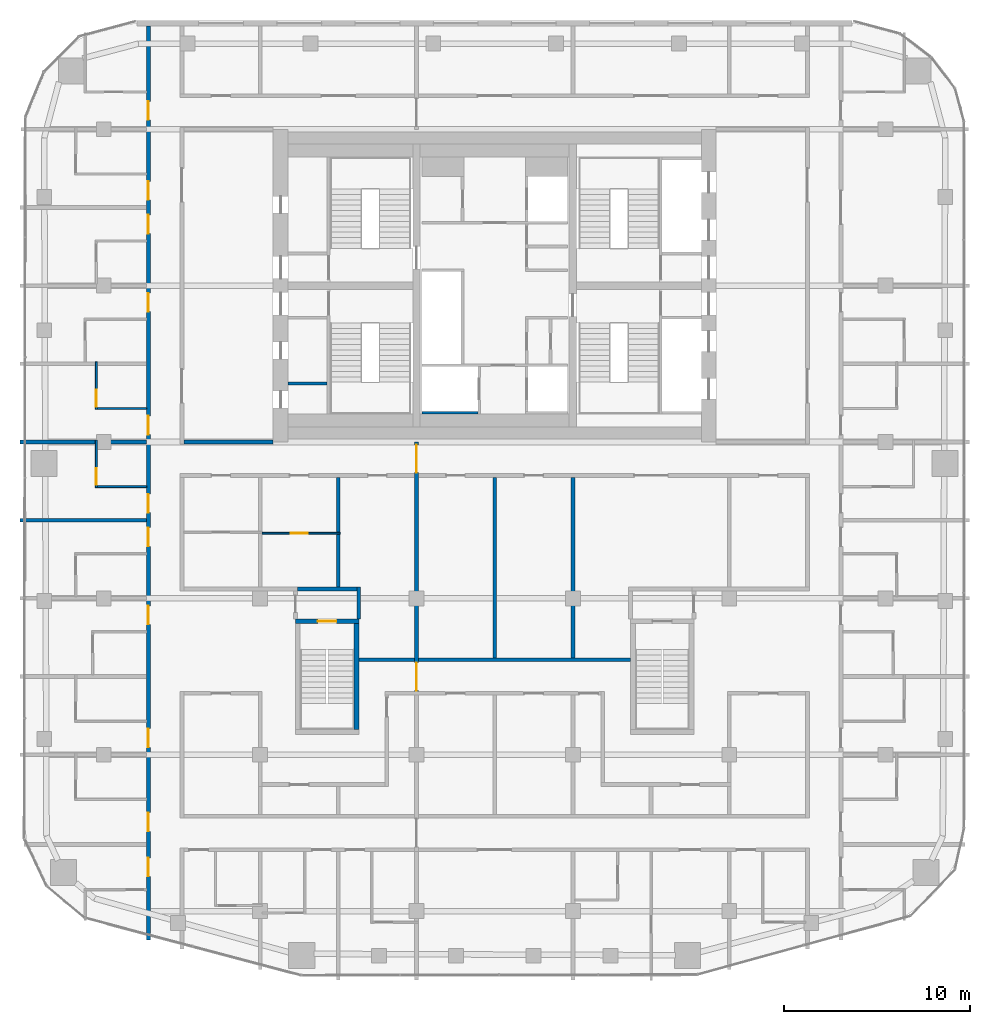
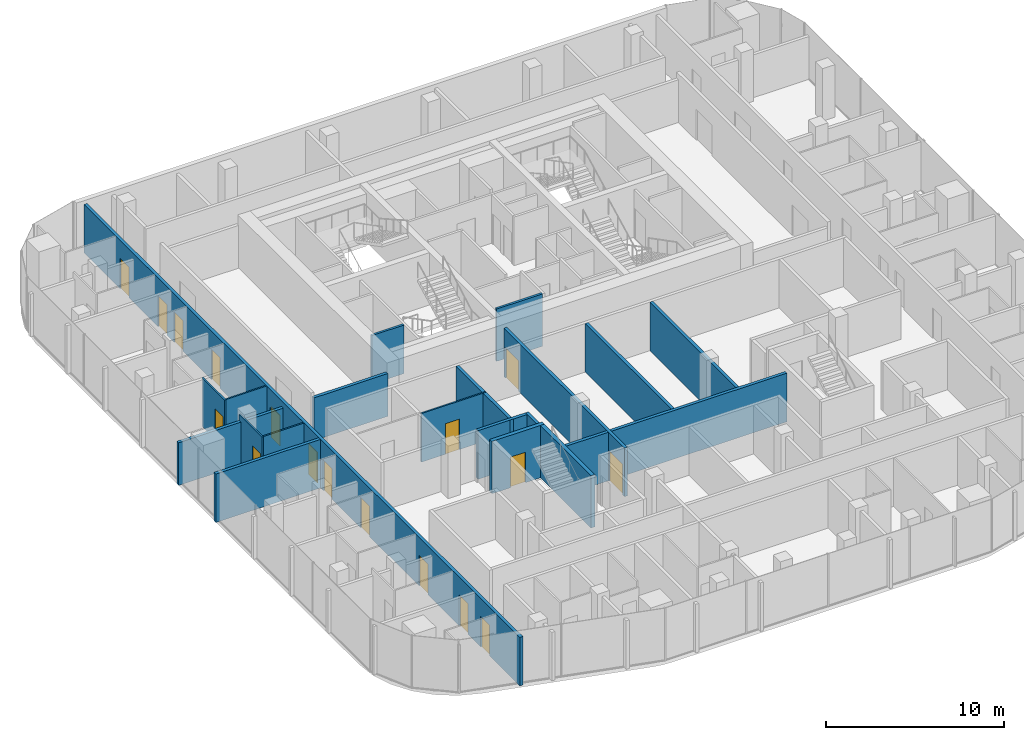
# One storey, part 15 of 22: 20 walls, 17 doors, 17 openings.
"""IFC4 building model written with IfcOpenShell, lengths in metres."""

import ifcopenshell
import ifcopenshell.guid

model = None  # the IFC model being written
_history = None  # IfcOwnerHistory: only IFC2X3 demands one
_inside = {}  # id of a spatial element -> (the spatial element, [elements in it])
_under = {}  # id of a project, library or spatial element -> (it, [spatial elements below it])
_declared = {}  # id of a project -> (the project, [libraries it declares])
_typed = {}  # id of a type object -> (the type object, [elements of that type])
_made_of = {}  # id of a material, layer set ... -> (it, [elements and type objects made of it])


def new_model(schema):
    """Start an empty IFC model of exactly this schema.

    Asked for "IFC4X3", IfcOpenShell would pick the latest addendum, in which some entities
    have other attributes; the version numbers below select the first issue.
    IFC2X3 requires an IfcOwnerHistory on every rooted entity: one is made here for all.
    """
    global model, _history
    if schema == "IFC4X3":
        model = ifcopenshell.file(schema_version=(4, 3, 0, 0))
    else:
        model = ifcopenshell.file(schema=schema)
    _inside.clear()
    _under.clear()
    _declared.clear()
    _typed.clear()
    _made_of.clear()
    _history = None
    if model.schema == "IFC2X3":
        org = make("IfcOrganization", Name="unknown")
        user = make(
            "IfcPersonAndOrganization",
            ThePerson=make("IfcPerson", FamilyName="unknown"),
            TheOrganization=org,
        )
        app = make(
            "IfcApplication",
            ApplicationDeveloper=org,
            Version="unknown",
            ApplicationFullName="unknown",
            ApplicationIdentifier="unknown",
        )
        _history = make(
            "IfcOwnerHistory",
            OwningUser=user,
            OwningApplication=app,
            ChangeAction="ADDED",
            CreationDate=0,
        )
    return model


def make(cls, **values):
    """One entity of the class cls with the attributes given. An attribute that is None is left unset."""
    return model.create_entity(
        cls, **{name: value for name, value in values.items() if value is not None}
    )


def rooted(cls, **values):
    """An entity with a GlobalId (a new one), such as an element, a storey or a relation."""
    return make(cls, GlobalId=ifcopenshell.guid.new(), OwnerHistory=_history, **values)


def si_unit(unit_type, name, prefix=None):
    """IfcSIUnit, for example si_unit("LENGTHUNIT", "METRE", prefix="MILLI")."""
    return make("IfcSIUnit", UnitType=unit_type, Prefix=prefix, Name=name)


def assignment(units):
    """IfcUnitAssignment: the units of a project."""
    return None if units is None else make("IfcUnitAssignment", Units=units)


def point(xyz):
    """IfcCartesianPoint."""
    return None if xyz is None else make("IfcCartesianPoint", Coordinates=xyz)


def direction(xyz):
    """IfcDirection."""
    return None if xyz is None else make("IfcDirection", DirectionRatios=xyz)


def frame(location, z_axis=None, x_axis=None):
    """IfcAxis2Placement3D, a coordinate frame: its origin and axes. An axis left out is left unset."""
    return make(
        "IfcAxis2Placement3D",
        Location=point(location),
        Axis=direction(z_axis),
        RefDirection=direction(x_axis),
    )


def frame_2d(location, x_axis=None):
    """IfcAxis2Placement2D, a coordinate frame in the plane: its origin and x axis."""
    return make(
        "IfcAxis2Placement2D", Location=point(location), RefDirection=direction(x_axis)
    )


def origin():
    """The frame at (0, 0, 0) with its axes left unset."""
    return frame((0.0, 0.0, 0.0))


def place(relative_to, where):
    """IfcLocalPlacement: puts the frame where relative to a parent placement (None: the world)."""
    return make(
        "IfcLocalPlacement", PlacementRelTo=relative_to, RelativePlacement=where
    )


def context(
    kind, dimensions, precision=None, world=None, true_north=None, identifier=None
):
    """IfcGeometricRepresentationContext, for example the 3D "Model" context."""
    return make(
        "IfcGeometricRepresentationContext",
        ContextIdentifier=identifier,
        ContextType=kind,
        CoordinateSpaceDimension=dimensions,
        Precision=precision,
        WorldCoordinateSystem=world,
        TrueNorth=true_north,
    )


def subcontext(parent, identifier, kind, view, scale=None):
    """IfcGeometricRepresentationSubContext, for example "Body" below "Model"."""
    return make(
        "IfcGeometricRepresentationSubContext",
        ContextIdentifier=identifier,
        ContextType=kind,
        ParentContext=parent,
        TargetScale=scale,
        TargetView=view,
    )


def project(units=None, contexts=None):
    """IfcProject with its units and contexts."""
    return rooted(
        "IfcProject",
        Name="project",
        RepresentationContexts=contexts,
        UnitsInContext=assignment(units),
    )


def spatial(cls, under=None, at=None, **own):
    """A site, building, storey or space (cls), placed at a placement, below another one or the project."""
    s = rooted(cls, ObjectPlacement=at, **own)
    if under is not None:
        _under.setdefault(under.id(), (under, []))[1].append(s)
    return s


def profile(cls, at=None, kind="AREA", **sizes):
    """A parametric profile (cls). Its sizes go by their IFC names, for example OverallWidth=200.0."""
    return make(cls, ProfileType=kind, Position=at, **sizes)


def rectangle(**sizes):
    """IfcRectangleProfileDef."""
    return profile("IfcRectangleProfileDef", **sizes)


def extrude(swept, where, along, depth):
    """IfcExtrudedAreaSolid: the profile swept, set in the frame where, extruded along a direction by depth."""
    return make(
        "IfcExtrudedAreaSolid",
        SweptArea=swept,
        Position=where,
        ExtrudedDirection=direction(along),
        Depth=depth,
    )


def shape(context_of_items, identifier, shape_type, items):
    """IfcShapeRepresentation: the items that make up one representation, for example the "Body"."""
    return make(
        "IfcShapeRepresentation",
        ContextOfItems=context_of_items,
        RepresentationIdentifier=identifier,
        RepresentationType=shape_type,
        Items=items,
    )


def material(Name=None, Category=None):
    """IfcMaterial."""
    return make("IfcMaterial", Name=Name, Category=Category)


def layer(
    of_material, thickness, ventilated=None, Name=None, Category=None, Priority=None
):
    """IfcMaterialLayer: one layer of a wall or slab, of a material (None: an air gap)."""
    return make(
        "IfcMaterialLayer",
        Material=of_material,
        LayerThickness=thickness,
        IsVentilated=ventilated,
        Name=Name,
        Category=Category,
        Priority=Priority,
    )


def layer_set(layers, Name=None):
    """IfcMaterialLayerSet."""
    return make("IfcMaterialLayerSet", MaterialLayers=layers, LayerSetName=Name)


def made_of(thing, what):
    """Note that an element or type object is made of a material, layer set ...; save() writes the relation."""
    if what is not None:
        _made_of.setdefault(what.id(), (what, []))[1].append(thing)
    return thing


def type_object(cls, material=None, **own):
    """A type object (cls), such as IfcWallType, which elements share."""
    return made_of(rooted(cls, **own), material)


def element(
    cls,
    number,
    at=None,
    inside=None,
    cuts=None,
    type_object=None,
    material=None,
    context=None,
    identifier="Body",
    shape_type=None,
    held_by="IfcProductDefinitionShape",
    body=None,
    shapes=None,
    **own,
):
    """One element of the class cls, such as IfcWall. Its Tag is "e" and its number.

    at: its placement. inside: the storey or other place that contains it. cuts: it is an
    opening in that element (IfcRelVoidsElement). A single representation is given by context,
    identifier, shape_type and body (its items); several are given by shapes. held_by: the class
    of the entity that holds the representations. save() writes the other relations.
    """
    e = rooted(cls, Tag="e%d" % number, ObjectPlacement=at, **own)
    if body is not None:
        shapes = [shape(context, identifier, shape_type, body)]
    if shapes is not None:
        e.Representation = make(held_by, Representations=shapes)
    if inside is not None:
        _inside.setdefault(inside.id(), (inside, []))[1].append(e)
    if cuts is not None:
        rooted(
            "IfcRelVoidsElement", RelatingBuildingElement=cuts, RelatedOpeningElement=e
        )
    if type_object is not None:
        _typed.setdefault(type_object.id(), (type_object, []))[1].append(e)
    return made_of(e, material)


def fill(opening, filler):
    """IfcRelFillsElement: the door or window that sits in an opening."""
    return rooted(
        "IfcRelFillsElement",
        RelatingOpeningElement=opening,
        RelatedBuildingElement=filler,
    )


def aggregate(whole, parts):
    """IfcRelAggregates: a whole, such as a stair, and the parts it consists of."""
    return rooted("IfcRelAggregates", RelatingObject=whole, RelatedObjects=parts)


def save(model, path):
    """Write the relations noted so far, then the file.

    IfcRelAggregates (storeys below a building ...), IfcRelContainedInSpatialStructure (elements
    in a storey), IfcRelDefinesByType, IfcRelAssociatesMaterial and IfcRelDeclares: one each for
    every whole, place, type object, material and project.
    """
    for whole, parts in _under.values():
        aggregate(whole, parts)
    for where, things in _inside.values():
        rooted(
            "IfcRelContainedInSpatialStructure",
            RelatedElements=things,
            RelatingStructure=where,
        )
    for kind, things in _typed.values():
        rooted("IfcRelDefinesByType", RelatedObjects=things, RelatingType=kind)
    for what, things in _made_of.values():
        rooted("IfcRelAssociatesMaterial", RelatedObjects=things, RelatingMaterial=what)
    for by, libraries in _declared.values():
        rooted("IfcRelDeclares", RelatingContext=by, RelatedDefinitions=libraries)
    model.write(path)


model = new_model("IFC4")

# Units and contexts
model_context = context("Model", 3, precision=1e-05, world=origin(), true_north=direction((0.0, 1.0)))
body_context = subcontext(model_context, "Body", "Model", "MODEL_VIEW")
ifc_project = project(units=[si_unit("LENGTHUNIT", "METRE"), si_unit("AREAUNIT", "SQUARE_METRE"), si_unit("VOLUMEUNIT", "CUBIC_METRE"), si_unit("PLANEANGLEUNIT", "RADIAN"), si_unit("MASSUNIT", "GRAM", prefix="KILO")], contexts=[model_context])

# Site, building, storey
site_placement = place(None, origin())
site = spatial("IfcSite", under=ifc_project, at=site_placement, CompositionType="ELEMENT")
building_placement = place(site_placement, origin())
building = spatial("IfcBuilding", under=site, at=building_placement, Name="Marenta Gate Hotel Tower", CompositionType="ELEMENT")
storey_placement = place(building_placement, frame((0.0, 0.0, 194.89990234375)))
storey = spatial("IfcBuildingStorey", under=building, at=storey_placement, Name="L44", CompositionType="ELEMENT", Elevation=194.89990234375)

# Wall, openings, doors
ifc_material_1 = material(Name="Concrete blockwork", Category="masonry")
ifc_layer_1 = layer(ifc_material_1, 0.199951171875)
ifc_layer_set_1 = layer_set([ifc_layer_1], Name="Concrete blockwork")
wall_type_1 = type_object("IfcWallType", Name="Compartment wall 200 REI 180", PredefinedType="PARTITIONING", material=ifc_layer_set_1)
wall_1_placement = place(storey_placement, frame((-4.199951171875, -13.60009765625, 0.0), z_axis=(0.0, 0.0, 1.0), x_axis=(0.0, 1.0, 0.0)))
wall_1 = element("IfcWall", 1, at=wall_1_placement, inside=storey, type_object=wall_type_1, Name="L44-PTN-W081", PredefinedType="PARTITIONING", context=body_context, shape_type="SweptSolid", body=[
    extrude(rectangle(XDim=13.60009765625, YDim=0.199951171875, at=frame_2d((6.800048828125, 0.0))), origin(), (0.0, 0.0, 1.0), 3.340087890625),
])
opening_1_placement = place(wall_1_placement, frame((11.949951171875, 0.0, 0.0)))
opening_1 = element("IfcOpeningElement", 2, at=opening_1_placement, cuts=wall_1, Name="Opening G15-FD2", PredefinedType="OPENING", context=body_context, shape_type="SweptSolid", body=[
    extrude(rectangle(XDim=1.5, YDim=2.10009765625, at=frame_2d((0.75, 1.050048828125))), frame((0.0, 0.10009765625, 0.0), z_axis=(0.0, -1.0, 0.0), x_axis=(1.0, 0.0, 0.0)), (0.0, 0.0, 1.0), 0.199951171875),
])
opening_2_placement = place(wall_1_placement, frame((0.25, 0.0, 0.0)))
opening_2 = element("IfcOpeningElement", 3, at=opening_2_placement, cuts=wall_1, Name="Opening G15-FD3", PredefinedType="OPENING", context=body_context, shape_type="SweptSolid", body=[
    extrude(rectangle(XDim=1.5, YDim=2.10009765625, at=frame_2d((0.75, 1.050048828125))), frame((0.0, 0.10009765625, 0.0), z_axis=(0.0, -1.0, 0.0), x_axis=(1.0, 0.0, 0.0)), (0.0, 0.0, 1.0), 0.199951171875),
])
ifc_material_2 = material(Name="Hollow steel door set", Category="steel")
door_type_1 = type_object("IfcDoorType", Name="Compartment fire door 1500x2100 EI 60", OperationType="DOUBLE_DOOR_DOUBLE_SWING", PredefinedType="DOOR", material=ifc_material_2)
door_1_placement = place(opening_1_placement, origin())
door_1 = element("IfcDoor", 4, at=door_1_placement, inside=storey, type_object=door_type_1, Name="L44-PD-FD02", OperationType="DOUBLE_DOOR_DOUBLE_SWING", OverallHeight=2.10009765625, OverallWidth=1.5, PredefinedType="DOOR", context=body_context, shape_type="SweptSolid", body=[
    extrude(rectangle(XDim=1.5, YDim=2.10009765625, at=frame_2d((0.75, 1.050048828125))), frame((0.0, 0.02490234375, 0.0), z_axis=(0.0, -1.0, 0.0), x_axis=(1.0, 0.0, 0.0)), (0.0, 0.0, 1.0), 0.050048828125),
])
fill(opening_1, door_1)
door_2_placement = place(opening_2_placement, origin())
door_2 = element("IfcDoor", 5, at=door_2_placement, inside=storey, type_object=door_type_1, Name="L44-PD-FD03", OperationType="DOUBLE_DOOR_DOUBLE_SWING", OverallHeight=2.10009765625, OverallWidth=1.5, PredefinedType="DOOR", context=body_context, shape_type="SweptSolid", body=[
    extrude(rectangle(XDim=1.5, YDim=2.10009765625, at=frame_2d((0.75, 1.050048828125))), frame((0.0, 0.02490234375, 0.0), z_axis=(0.0, -1.0, 0.0), x_axis=(1.0, 0.0, 0.0)), (0.0, 0.0, 1.0), 0.050048828125),
])
fill(opening_2, door_2)

# Walls
ifc_material_3 = material(Name="Concrete blockwork", Category="masonry")
ifc_layer_2 = layer(ifc_material_3, 0.199951171875)
ifc_layer_set_2 = layer_set([ifc_layer_2], Name="Concrete blockwork")
wall_type_2 = type_object("IfcWallType", Name="Core boundary wall 200 REI 180", PredefinedType="PARTITIONING", material=ifc_layer_set_2)
wall_2_placement = place(storey_placement, frame((-16.699951171875, 0.0, 0.0), z_axis=(0.0, 0.0, 1.0), x_axis=(1.0, 0.0, 0.0)))
element("IfcWall", 6, at=wall_2_placement, inside=storey, type_object=wall_type_2, Name="L44-CP-EW-WS", PredefinedType="PARTITIONING", context=body_context, shape_type="SweptSolid", body=[
    extrude(rectangle(XDim=4.800048828125, YDim=0.199951171875, at=frame_2d((2.39990234375, 0.0))), origin(), (0.0, 0.0, 1.0), 2.940185546875),
])
ifc_material_4 = material(Name="Concrete blockwork", Category="masonry")
ifc_layer_3 = layer(ifc_material_4, 0.14990234375)
ifc_layer_set_3 = layer_set([ifc_layer_3], Name="Concrete blockwork")
wall_type_3 = type_object("IfcWallType", Name="Core room partition 150 REI 180", PredefinedType="PARTITIONING", material=ifc_layer_set_3)
wall_3_placement = place(storey_placement, frame((-11.10009765625, 3.14990234375, 0.0), z_axis=(0.0, 0.0, 1.0), x_axis=(1.0, 0.0, 0.0)))
element("IfcWall", 7, at=wall_3_placement, inside=storey, type_object=wall_type_3, Name="L44-CP-RW-WS-1", PredefinedType="PARTITIONING", context=body_context, shape_type="SweptSolid", body=[
    extrude(rectangle(XDim=2.10009765625, YDim=0.14990234375, at=frame_2d((1.050048828125, 0.0))), origin(), (0.0, 0.0, 1.0), 3.340087890625),
])
ifc_material_5 = material(Name="Concrete C40", Category="concrete")
ifc_layer_4 = layer(ifc_material_5, 0.14990234375)
ifc_layer_set_4 = layer_set([ifc_layer_4], Name="Concrete C40")
wall_type_4 = type_object("IfcWallType", Name="Core shaft wall 150 REI 180", PredefinedType="SHEAR", material=ifc_layer_set_4)
wall_4_placement = place(storey_placement, frame((-3.89990234375, 1.574951171875, 0.0), z_axis=(0.0, 0.0, 1.0), x_axis=(1.0, 0.0, 0.0)))
element("IfcWall", 8, at=wall_4_placement, inside=storey, type_object=wall_type_4, Name="L44-SHF-CW-W-ffs", PredefinedType="SHEAR", context=body_context, shape_type="SweptSolid", body=[
    extrude(rectangle(XDim=3.0, YDim=0.14990234375, at=frame_2d((1.5, 0.0))), origin(), (0.0, 0.0, 1.0), 3.60009765625),
])

# Wall, opening, door
ifc_material_6 = material(Name="Concrete C40", Category="concrete")
ifc_layer_5 = layer(ifc_material_6, 0.25)
ifc_layer_set_5 = layer_set([ifc_layer_5], Name="Concrete C40")
wall_type_5 = type_object("IfcWallType", Name="Remote stair enclosure wall 250 REI 180", PredefinedType="SHEAR", material=ifc_layer_set_5)
wall_5_placement = place(storey_placement, frame((-10.699951171875, -9.625, 0.10009765625), z_axis=(0.0, 0.0, 1.0), x_axis=(1.0, 0.0, 0.0)))
wall_5 = element("IfcWall", 9, at=wall_5_placement, inside=storey, type_object=wall_type_5, Name="L44-RS-Z3-1-W2", PredefinedType="SHEAR", context=body_context, shape_type="SweptSolid", body=[
    extrude(rectangle(XDim=3.39990234375, YDim=0.25, at=frame_2d((1.699951171875, 0.0))), origin(), (0.0, 0.0, 1.0), 3.60009765625),
])
opening_3_placement = place(wall_5_placement, frame((1.199951171875, 0.0, 0.0)))
opening_3 = element("IfcOpeningElement", 10, at=opening_3_placement, cuts=wall_5, Name="Opening VD", PredefinedType="OPENING", context=body_context, shape_type="SweptSolid", body=[
    extrude(rectangle(XDim=1.0, YDim=2.10009765625, at=frame_2d((0.5, 1.050048828125))), frame((0.0, 0.125, 0.0), z_axis=(0.0, -1.0, 0.0), x_axis=(1.0, 0.0, 0.0)), (0.0, 0.0, 1.0), 0.25),
])
ifc_material_7 = material(Name="Steel", Category="steel")
door_type_2 = type_object("IfcDoorType", Name="Stair vestibule door 1000x2100 FD60", OperationType="SINGLE_SWING_LEFT", PredefinedType="DOOR", material=ifc_material_7)
door_3_placement = place(opening_3_placement, origin())
door_3 = element("IfcDoor", 11, at=door_3_placement, inside=storey, type_object=door_type_2, Name="VD", OperationType="SINGLE_SWING_LEFT", OverallHeight=2.10009765625, OverallWidth=1.0, PredefinedType="DOOR", context=body_context, shape_type="SweptSolid", body=[
    extrude(rectangle(XDim=1.0, YDim=2.10009765625, at=frame_2d((0.5, 1.050048828125))), frame((0.0, 0.02490234375, 0.0), z_axis=(0.0, -1.0, 0.0), x_axis=(1.0, 0.0, 0.0)), (0.0, 0.0, 1.0), 0.050048828125),
])
fill(opening_3, door_3)

# Walls
wall_6_placement = place(storey_placement, frame((-7.425048828125, -15.449951171875, 0.10009765625), z_axis=(0.0, 0.0, 1.0), x_axis=(0.0, 1.0, 0.0)))
element("IfcWall", 12, at=wall_6_placement, inside=storey, type_object=wall_type_5, Name="L44-RS-Z3-1-W4", PredefinedType="SHEAR", context=body_context, shape_type="SweptSolid", body=[
    extrude(rectangle(XDim=5.699951171875, YDim=0.25, at=frame_2d((2.85009765625, 0.0))), origin(), (0.0, 0.0, 1.0), 3.60009765625),
])
ifc_material_8 = material(Name="Gypsum board on steel stud", Category="steel")
ifc_layer_6 = layer(ifc_material_8, 0.199951171875)
ifc_layer_set_6 = layer_set([ifc_layer_6], Name="Gypsum board on steel stud")
wall_type_6 = type_object("IfcWallType", Name="Room corridor wall 200 EI 60", PredefinedType="PARTITIONING", material=ifc_layer_set_6)
wall_7_placement = place(storey_placement, frame((-7.300048828125, -11.699951171875, 0.0), z_axis=(0.0, 0.0, 1.0), x_axis=(1.0, 0.0, 0.0)))
element("IfcWall", 13, at=wall_7_placement, inside=storey, type_object=wall_type_6, Name="L44-PTN-W045", PredefinedType="PARTITIONING", context=body_context, shape_type="SweptSolid", body=[
    extrude(rectangle(XDim=14.60009765625, YDim=0.199951171875, at=frame_2d((7.300048828125, 0.0))), origin(), (0.0, 0.0, 1.0), 3.340087890625),
])

# Wall, openings, doors
wall_8_placement = place(storey_placement, frame((-18.60009765625, -26.7509765625, 0.0), z_axis=(0.0, 0.0, 1.0), x_axis=(0.0, 1.0, 0.0)))
wall_8 = element("IfcWall", 14, at=wall_8_placement, inside=storey, type_object=wall_type_6, Name="L44-PTN-W112", PredefinedType="PARTITIONING", context=body_context, shape_type="SweptSolid", body=[
    extrude(rectangle(XDim=49.091064453125, YDim=0.199951171875, at=frame_2d((24.54541015625, 0.0))), origin(), (0.0, 0.0, 1.0), 3.340087890625),
])
opening_4_placement = place(wall_8_placement, frame((3.4130859375, 0.0, 0.0)))
opening_4 = element("IfcOpeningElement", 15, at=opening_4_placement, cuts=wall_8, Name="Opening G15-54", PredefinedType="OPENING", context=body_context, shape_type="SweptSolid", body=[
    extrude(rectangle(XDim=1.0, YDim=2.10009765625, at=frame_2d((0.5, 1.050048828125))), frame((0.0, 0.10009765625, 0.0), z_axis=(0.0, -1.0, 0.0), x_axis=(1.0, 0.0, 0.0)), (0.0, 0.0, 1.0), 0.199951171875),
])
opening_5_placement = place(wall_8_placement, frame((5.837890625, 0.0, 0.0)))
opening_5 = element("IfcOpeningElement", 16, at=opening_5_placement, cuts=wall_8, Name="Opening G15-56", PredefinedType="OPENING", context=body_context, shape_type="SweptSolid", body=[
    extrude(rectangle(XDim=1.0, YDim=2.10009765625, at=frame_2d((0.5, 1.050048828125))), frame((0.0, 0.10009765625, 0.0), z_axis=(0.0, -1.0, 0.0), x_axis=(1.0, 0.0, 0.0)), (0.0, 0.0, 1.0), 0.199951171875),
])
opening_6_placement = place(wall_8_placement, frame((10.35107421875, 0.0, 0.0)))
opening_6 = element("IfcOpeningElement", 17, at=opening_6_placement, cuts=wall_8, Name="Opening G15-58", PredefinedType="OPENING", context=body_context, shape_type="SweptSolid", body=[
    extrude(rectangle(XDim=1.0, YDim=2.10009765625, at=frame_2d((0.5, 1.050048828125))), frame((0.0, 0.10009765625, 0.0), z_axis=(0.0, -1.0, 0.0), x_axis=(1.0, 0.0, 0.0)), (0.0, 0.0, 1.0), 0.199951171875),
])
opening_7_placement = place(wall_8_placement, frame((16.950927734375, 0.0, 0.0)))
opening_7 = element("IfcOpeningElement", 18, at=opening_7_placement, cuts=wall_8, Name="Opening G15-60", PredefinedType="OPENING", context=body_context, shape_type="SweptSolid", body=[
    extrude(rectangle(XDim=1.0, YDim=2.10009765625, at=frame_2d((0.5, 1.050048828125))), frame((0.0, 0.10009765625, 0.0), z_axis=(0.0, -1.0, 0.0), x_axis=(1.0, 0.0, 0.0)), (0.0, 0.0, 1.0), 0.199951171875),
])
opening_8_placement = place(wall_8_placement, frame((21.15087890625, 0.0, 0.0)))
opening_8 = element("IfcOpeningElement", 19, at=opening_8_placement, cuts=wall_8, Name="Opening G15-62", PredefinedType="OPENING", context=body_context, shape_type="SweptSolid", body=[
    extrude(rectangle(XDim=1.0, YDim=2.10009765625, at=frame_2d((0.5, 1.050048828125))), frame((0.0, 0.10009765625, 0.0), z_axis=(0.0, -1.0, 0.0), x_axis=(1.0, 0.0, 0.0)), (0.0, 0.0, 1.0), 0.199951171875),
])
opening_9_placement = place(wall_8_placement, frame((22.950927734375, 0.0, 0.0)))
opening_9 = element("IfcOpeningElement", 20, at=opening_9_placement, cuts=wall_8, Name="Opening G15-64", PredefinedType="OPENING", context=body_context, shape_type="SweptSolid", body=[
    extrude(rectangle(XDim=1.0, YDim=2.10009765625, at=frame_2d((0.5, 1.050048828125))), frame((0.0, 0.10009765625, 0.0), z_axis=(0.0, -1.0, 0.0), x_axis=(1.0, 0.0, 0.0)), (0.0, 0.0, 1.0), 0.199951171875),
])
opening_10_placement = place(wall_8_placement, frame((27.15087890625, 0.0, 0.0)))
opening_10 = element("IfcOpeningElement", 21, at=opening_10_placement, cuts=wall_8, Name="Opening G15-66", PredefinedType="OPENING", context=body_context, shape_type="SweptSolid", body=[
    extrude(rectangle(XDim=1.0, YDim=2.10009765625, at=frame_2d((0.5, 1.050048828125))), frame((0.0, 0.10009765625, 0.0), z_axis=(0.0, -1.0, 0.0), x_axis=(1.0, 0.0, 0.0)), (0.0, 0.0, 1.0), 0.199951171875),
])
opening_11_placement = place(wall_8_placement, frame((33.7509765625, 0.0, 0.0)))
opening_11 = element("IfcOpeningElement", 22, at=opening_11_placement, cuts=wall_8, Name="Opening G15-68", PredefinedType="OPENING", context=body_context, shape_type="SweptSolid", body=[
    extrude(rectangle(XDim=1.0, YDim=2.10009765625, at=frame_2d((0.5, 1.050048828125))), frame((0.0, 0.10009765625, 0.0), z_axis=(0.0, -1.0, 0.0), x_axis=(1.0, 0.0, 0.0)), (0.0, 0.0, 1.0), 0.199951171875),
])
opening_12_placement = place(wall_8_placement, frame((37.950927734375, 0.0, 0.0)))
opening_12 = element("IfcOpeningElement", 23, at=opening_12_placement, cuts=wall_8, Name="Opening G15-70", PredefinedType="OPENING", context=body_context, shape_type="SweptSolid", body=[
    extrude(rectangle(XDim=1.0, YDim=2.10009765625, at=frame_2d((0.5, 1.050048828125))), frame((0.0, 0.10009765625, 0.0), z_axis=(0.0, -1.0, 0.0), x_axis=(1.0, 0.0, 0.0)), (0.0, 0.0, 1.0), 0.199951171875),
])
opening_13_placement = place(wall_8_placement, frame((39.7509765625, 0.0, 0.0)))
opening_13 = element("IfcOpeningElement", 24, at=opening_13_placement, cuts=wall_8, Name="Opening G15-72", PredefinedType="OPENING", context=body_context, shape_type="SweptSolid", body=[
    extrude(rectangle(XDim=1.0, YDim=2.10009765625, at=frame_2d((0.5, 1.050048828125))), frame((0.0, 0.10009765625, 0.0), z_axis=(0.0, -1.0, 0.0), x_axis=(1.0, 0.0, 0.0)), (0.0, 0.0, 1.0), 0.199951171875),
])
opening_14_placement = place(wall_8_placement, frame((44.051025390625, 0.0, 0.0)))
opening_14 = element("IfcOpeningElement", 25, at=opening_14_placement, cuts=wall_8, Name="Opening G15-74", PredefinedType="OPENING", context=body_context, shape_type="SweptSolid", body=[
    extrude(rectangle(XDim=1.0, YDim=2.10009765625, at=frame_2d((0.5, 1.050048828125))), frame((0.0, 0.10009765625, 0.0), z_axis=(0.0, -1.0, 0.0), x_axis=(1.0, 0.0, 0.0)), (0.0, 0.0, 1.0), 0.199951171875),
])
ifc_material_9 = material(Name="Timber door leaf", Category="wood")
door_type_3 = type_object("IfcDoorType", Name="Guest room door 1000x2100 EI 30", OperationType="NOTDEFINED", PredefinedType="DOOR", material=ifc_material_9)
door_4_placement = place(opening_4_placement, origin())
door_4 = element("IfcDoor", 26, at=door_4_placement, inside=storey, type_object=door_type_3, Name="L44-PD-D054", OperationType="SINGLE_SWING_LEFT", OverallHeight=2.10009765625, OverallWidth=1.0, PredefinedType="DOOR", context=body_context, shape_type="SweptSolid", body=[
    extrude(rectangle(XDim=1.0, YDim=2.10009765625, at=frame_2d((0.5, 1.050048828125))), frame((0.0, 0.02490234375, 0.0), z_axis=(0.0, -1.0, 0.0), x_axis=(1.0, 0.0, 0.0)), (0.0, 0.0, 1.0), 0.050048828125),
])
fill(opening_4, door_4)
door_5_placement = place(opening_5_placement, origin())
door_5 = element("IfcDoor", 27, at=door_5_placement, inside=storey, type_object=door_type_3, Name="L44-PD-D056", OperationType="SINGLE_SWING_LEFT", OverallHeight=2.10009765625, OverallWidth=1.0, PredefinedType="DOOR", context=body_context, shape_type="SweptSolid", body=[
    extrude(rectangle(XDim=1.0, YDim=2.10009765625, at=frame_2d((0.5, 1.050048828125))), frame((0.0, 0.02490234375, 0.0), z_axis=(0.0, -1.0, 0.0), x_axis=(1.0, 0.0, 0.0)), (0.0, 0.0, 1.0), 0.050048828125),
])
fill(opening_5, door_5)
door_6_placement = place(opening_6_placement, origin())
door_6 = element("IfcDoor", 28, at=door_6_placement, inside=storey, type_object=door_type_3, Name="L44-PD-D058", OperationType="SINGLE_SWING_LEFT", OverallHeight=2.10009765625, OverallWidth=1.0, PredefinedType="DOOR", context=body_context, shape_type="SweptSolid", body=[
    extrude(rectangle(XDim=1.0, YDim=2.10009765625, at=frame_2d((0.5, 1.050048828125))), frame((0.0, 0.02490234375, 0.0), z_axis=(0.0, -1.0, 0.0), x_axis=(1.0, 0.0, 0.0)), (0.0, 0.0, 1.0), 0.050048828125),
])
fill(opening_6, door_6)
door_7_placement = place(opening_7_placement, origin())
door_7 = element("IfcDoor", 29, at=door_7_placement, inside=storey, type_object=door_type_3, Name="L44-PD-D060", OperationType="SINGLE_SWING_LEFT", OverallHeight=2.10009765625, OverallWidth=1.0, PredefinedType="DOOR", context=body_context, shape_type="SweptSolid", body=[
    extrude(rectangle(XDim=1.0, YDim=2.10009765625, at=frame_2d((0.5, 1.050048828125))), frame((0.0, 0.02490234375, 0.0), z_axis=(0.0, -1.0, 0.0), x_axis=(1.0, 0.0, 0.0)), (0.0, 0.0, 1.0), 0.050048828125),
])
fill(opening_7, door_7)
door_8_placement = place(opening_8_placement, origin())
door_8 = element("IfcDoor", 30, at=door_8_placement, inside=storey, type_object=door_type_3, Name="L44-PD-D062", OperationType="SINGLE_SWING_LEFT", OverallHeight=2.10009765625, OverallWidth=1.0, PredefinedType="DOOR", context=body_context, shape_type="SweptSolid", body=[
    extrude(rectangle(XDim=1.0, YDim=2.10009765625, at=frame_2d((0.5, 1.050048828125))), frame((0.0, 0.02490234375, 0.0), z_axis=(0.0, -1.0, 0.0), x_axis=(1.0, 0.0, 0.0)), (0.0, 0.0, 1.0), 0.050048828125),
])
fill(opening_8, door_8)
door_9_placement = place(opening_9_placement, origin())
door_9 = element("IfcDoor", 31, at=door_9_placement, inside=storey, type_object=door_type_3, Name="L44-PD-D064", OperationType="SINGLE_SWING_LEFT", OverallHeight=2.10009765625, OverallWidth=1.0, PredefinedType="DOOR", context=body_context, shape_type="SweptSolid", body=[
    extrude(rectangle(XDim=1.0, YDim=2.10009765625, at=frame_2d((0.5, 1.050048828125))), frame((0.0, 0.02490234375, 0.0), z_axis=(0.0, -1.0, 0.0), x_axis=(1.0, 0.0, 0.0)), (0.0, 0.0, 1.0), 0.050048828125),
])
fill(opening_9, door_9)
door_10_placement = place(opening_10_placement, origin())
door_10 = element("IfcDoor", 32, at=door_10_placement, inside=storey, type_object=door_type_3, Name="L44-PD-D066", OperationType="SINGLE_SWING_LEFT", OverallHeight=2.10009765625, OverallWidth=1.0, PredefinedType="DOOR", context=body_context, shape_type="SweptSolid", body=[
    extrude(rectangle(XDim=1.0, YDim=2.10009765625, at=frame_2d((0.5, 1.050048828125))), frame((0.0, 0.02490234375, 0.0), z_axis=(0.0, -1.0, 0.0), x_axis=(1.0, 0.0, 0.0)), (0.0, 0.0, 1.0), 0.050048828125),
])
fill(opening_10, door_10)
door_11_placement = place(opening_11_placement, origin())
door_11 = element("IfcDoor", 33, at=door_11_placement, inside=storey, type_object=door_type_3, Name="L44-PD-D068", OperationType="SINGLE_SWING_LEFT", OverallHeight=2.10009765625, OverallWidth=1.0, PredefinedType="DOOR", context=body_context, shape_type="SweptSolid", body=[
    extrude(rectangle(XDim=1.0, YDim=2.10009765625, at=frame_2d((0.5, 1.050048828125))), frame((0.0, 0.02490234375, 0.0), z_axis=(0.0, -1.0, 0.0), x_axis=(1.0, 0.0, 0.0)), (0.0, 0.0, 1.0), 0.050048828125),
])
fill(opening_11, door_11)
door_12_placement = place(opening_12_placement, origin())
door_12 = element("IfcDoor", 34, at=door_12_placement, inside=storey, type_object=door_type_3, Name="L44-PD-D070", OperationType="SINGLE_SWING_LEFT", OverallHeight=2.10009765625, OverallWidth=1.0, PredefinedType="DOOR", context=body_context, shape_type="SweptSolid", body=[
    extrude(rectangle(XDim=1.0, YDim=2.10009765625, at=frame_2d((0.5, 1.050048828125))), frame((0.0, 0.02490234375, 0.0), z_axis=(0.0, -1.0, 0.0), x_axis=(1.0, 0.0, 0.0)), (0.0, 0.0, 1.0), 0.050048828125),
])
fill(opening_12, door_12)
door_13_placement = place(opening_13_placement, origin())
door_13 = element("IfcDoor", 35, at=door_13_placement, inside=storey, type_object=door_type_3, Name="L44-PD-D072", OperationType="SINGLE_SWING_LEFT", OverallHeight=2.10009765625, OverallWidth=1.0, PredefinedType="DOOR", context=body_context, shape_type="SweptSolid", body=[
    extrude(rectangle(XDim=1.0, YDim=2.10009765625, at=frame_2d((0.5, 1.050048828125))), frame((0.0, 0.02490234375, 0.0), z_axis=(0.0, -1.0, 0.0), x_axis=(1.0, 0.0, 0.0)), (0.0, 0.0, 1.0), 0.050048828125),
])
fill(opening_13, door_13)
door_14_placement = place(opening_14_placement, origin())
door_14 = element("IfcDoor", 36, at=door_14_placement, inside=storey, type_object=door_type_3, Name="L44-PD-D074", OperationType="SINGLE_SWING_LEFT", OverallHeight=2.10009765625, OverallWidth=1.0, PredefinedType="DOOR", context=body_context, shape_type="SweptSolid", body=[
    extrude(rectangle(XDim=1.0, YDim=2.10009765625, at=frame_2d((0.5, 1.050048828125))), frame((0.0, 0.02490234375, 0.0), z_axis=(0.0, -1.0, 0.0), x_axis=(1.0, 0.0, 0.0)), (0.0, 0.0, 1.0), 0.050048828125),
])
fill(opening_14, door_14)

# Wall, opening, door
ifc_material_10 = material(Name="Gypsum board on steel stud", Category="steel")
ifc_layer_7 = layer(ifc_material_10, 0.10009765625)
ifc_layer_set_7 = layer_set([ifc_layer_7], Name="Gypsum board on steel stud")
wall_type_7 = type_object("IfcWallType", Name="Room partition 100", PredefinedType="PARTITIONING", material=ifc_layer_set_7)
wall_9_placement = place(storey_placement, frame((-12.5, -4.89990234375, 0.0), z_axis=(0.0, 0.0, 1.0), x_axis=(1.0, 0.0, 0.0)))
wall_9 = element("IfcWall", 37, at=wall_9_placement, inside=storey, type_object=wall_type_7, Name="L44-PTN-W062", PredefinedType="PARTITIONING", context=body_context, shape_type="SweptSolid", body=[
    extrude(rectangle(XDim=4.199951171875, YDim=0.10009765625, at=frame_2d((2.10009765625, 0.0))), origin(), (0.0, 0.0, 1.0), 3.340087890625),
])
opening_15_placement = place(wall_9_placement, frame((1.550048828125, 0.0, 0.0)))
opening_15 = element("IfcOpeningElement", 38, at=opening_15_placement, cuts=wall_9, Name="Opening G15-04", PredefinedType="OPENING", context=body_context, shape_type="SweptSolid", body=[
    extrude(rectangle(XDim=0.89990234375, YDim=2.10009765625, at=frame_2d((0.449951171875, 1.050048828125))), frame((0.0, 0.050048828125, 0.0), z_axis=(0.0, -1.0, 0.0), x_axis=(1.0, 0.0, 0.0)), (0.0, 0.0, 1.0), 0.10009765625),
])
ifc_material_11 = material(Name="Timber door leaf", Category="wood")
door_type_4 = type_object("IfcDoorType", Name="Room inner door 900x2100", OperationType="NOTDEFINED", PredefinedType="DOOR", material=ifc_material_11)
door_15_placement = place(opening_15_placement, origin())
door_15 = element("IfcDoor", 39, at=door_15_placement, inside=storey, type_object=door_type_4, Name="L44-PD-D004", OperationType="SINGLE_SWING_RIGHT", OverallHeight=2.10009765625, OverallWidth=0.89990234375, PredefinedType="DOOR", context=body_context, shape_type="SweptSolid", body=[
    extrude(rectangle(XDim=0.89990234375, YDim=2.10009765625, at=frame_2d((0.449951171875, 1.050048828125))), frame((0.0, 0.02490234375, 0.0), z_axis=(0.0, -1.0, 0.0), x_axis=(1.0, 0.0, 0.0)), (0.0, 0.0, 1.0), 0.050048828125),
])
fill(opening_15, door_15)

# Walls
for number, where, z_axis, x_axis, name in (
    (40, (-21.35009765625, -2.39990234375, 0.0), (0.0, 0.0, 1.0), (1.0, 0.0, 0.0), "L44-PTN-W070"),
    (41, (-21.35009765625, 1.800048828125, 0.0), (0.0, 0.0, 1.0), (1.0, 0.0, 0.0), "L44-PTN-W077"),
):
    element("IfcWall", number, at=place(storey_placement, frame(where, z_axis=z_axis, x_axis=x_axis)), inside=storey, type_object=wall_type_7, Name=name, PredefinedType="PARTITIONING", context=body_context, shape_type="SweptSolid", body=[
        extrude(rectangle(XDim=2.650146484375, YDim=0.10009765625, at=frame_2d((1.3251953125, 0.0))), origin(), (0.0, 0.0, 1.0), 3.340087890625),
    ])

# Wall, opening, door
wall_10_placement = place(storey_placement, frame((-21.39990234375, -2.449951171875, 0.0), z_axis=(0.0, 0.0, 1.0), x_axis=(0.0, 1.0, 0.0)))
wall_10 = element("IfcWall", 42, at=wall_10_placement, inside=storey, type_object=wall_type_7, Name="L44-PTN-W116", PredefinedType="PARTITIONING", context=body_context, shape_type="SweptSolid", body=[
    extrude(rectangle(XDim=2.550048828125, YDim=0.10009765625, at=frame_2d((1.27490234375, 0.0))), origin(), (0.0, 0.0, 1.0), 3.340087890625),
])
opening_16_placement = place(wall_10_placement, frame((0.14990234375, 0.0, 0.0)))
opening_16 = element("IfcOpeningElement", 43, at=opening_16_placement, cuts=wall_10, Name="Opening G15-65", PredefinedType="OPENING", context=body_context, shape_type="SweptSolid", body=[
    extrude(rectangle(XDim=0.89990234375, YDim=2.10009765625, at=frame_2d((0.449951171875, 1.050048828125))), frame((0.0, 0.050048828125, 0.0), z_axis=(0.0, -1.0, 0.0), x_axis=(1.0, 0.0, 0.0)), (0.0, 0.0, 1.0), 0.10009765625),
])
ifc_material_12 = material(Name="Timber door leaf", Category="wood")
door_type_5 = type_object("IfcDoorType", Name="Guest bathroom door 900x2100", OperationType="NOTDEFINED", PredefinedType="DOOR", material=ifc_material_12)
door_16_placement = place(opening_16_placement, origin())
door_16 = element("IfcDoor", 44, at=door_16_placement, inside=storey, type_object=door_type_5, Name="L44-PD-D065", OperationType="SINGLE_SWING_RIGHT", OverallHeight=2.10009765625, OverallWidth=0.89990234375, PredefinedType="DOOR", context=body_context, shape_type="SweptSolid", body=[
    extrude(rectangle(XDim=0.89990234375, YDim=2.10009765625, at=frame_2d((0.449951171875, 1.050048828125))), frame((0.0, 0.02490234375, 0.0), z_axis=(0.0, -1.0, 0.0), x_axis=(1.0, 0.0, 0.0)), (0.0, 0.0, 1.0), 0.050048828125),
])
fill(opening_16, door_16)

wall_11_placement = place(storey_placement, frame((-21.39990234375, 1.75, 0.0), z_axis=(0.0, 0.0, 1.0), x_axis=(0.0, 1.0, 0.0)))
wall_11 = element("IfcWall", 45, at=wall_11_placement, inside=storey, type_object=wall_type_7, Name="L44-PTN-W117", PredefinedType="PARTITIONING", context=body_context, shape_type="SweptSolid", body=[
    extrude(rectangle(XDim=2.550048828125, YDim=0.10009765625, at=frame_2d((1.27490234375, 0.0))), origin(), (0.0, 0.0, 1.0), 3.340087890625),
])
opening_17_placement = place(wall_11_placement, frame((0.14990234375, 0.0, 0.0)))
opening_17 = element("IfcOpeningElement", 46, at=opening_17_placement, cuts=wall_11, Name="Opening G15-67", PredefinedType="OPENING", context=body_context, shape_type="SweptSolid", body=[
    extrude(rectangle(XDim=0.89990234375, YDim=2.10009765625, at=frame_2d((0.449951171875, 1.050048828125))), frame((0.0, 0.050048828125, 0.0), z_axis=(0.0, -1.0, 0.0), x_axis=(1.0, 0.0, 0.0)), (0.0, 0.0, 1.0), 0.10009765625),
])
door_17_placement = place(opening_17_placement, origin())
door_17 = element("IfcDoor", 47, at=door_17_placement, inside=storey, type_object=door_type_5, Name="L44-PD-D067", OperationType="SINGLE_SWING_RIGHT", OverallHeight=2.10009765625, OverallWidth=0.89990234375, PredefinedType="DOOR", context=body_context, shape_type="SweptSolid", body=[
    extrude(rectangle(XDim=0.89990234375, YDim=2.10009765625, at=frame_2d((0.449951171875, 1.050048828125))), frame((0.0, 0.02490234375, 0.0), z_axis=(0.0, -1.0, 0.0), x_axis=(1.0, 0.0, 0.0)), (0.0, 0.0, 1.0), 0.050048828125),
])
fill(opening_17, door_17)

# Walls
ifc_material_13 = material(Name="Concrete blockwork", Category="masonry")
ifc_layer_8 = layer(ifc_material_13, 0.199951171875)
ifc_layer_set_8 = layer_set([ifc_layer_8], Name="Concrete blockwork")
wall_type_8 = type_object("IfcWallType", Name="Room party wall 200 EI 120", PredefinedType="PARTITIONING", material=ifc_layer_set_8)
wall_12_placement = place(storey_placement, frame((-8.39990234375, -8.0, 0.0), z_axis=(0.0, 0.0, 1.0), x_axis=(0.0, 1.0, 0.0)))
element("IfcWall", 48, at=wall_12_placement, inside=storey, type_object=wall_type_8, Name="L44-PTN-W092", PredefinedType="PARTITIONING", context=body_context, shape_type="SweptSolid", body=[
    extrude(rectangle(XDim=6.10009765625, YDim=0.199951171875, at=frame_2d((3.050048828125, 0.0))), origin(), (0.0, 0.0, 1.0), 3.340087890625),
])
ifc_material_14 = material(Name="Gypsum board on steel stud", Category="steel")
ifc_layer_9 = layer(ifc_material_14, 0.199951171875)
ifc_layer_set_9 = layer_set([ifc_layer_9], Name="Gypsum board on steel stud")
wall_type_9 = type_object("IfcWallType", Name="Room party wall 200 EI 60", PredefinedType="PARTITIONING", material=ifc_layer_set_9)
wall_13_placement = place(storey_placement, frame((4.199951171875, -11.60009765625, 0.0), z_axis=(0.0, 0.0, 1.0), x_axis=(0.0, 1.0, 0.0)))
element("IfcWall", 49, at=wall_13_placement, inside=storey, type_object=wall_type_9, Name="L44-PTN-W066", PredefinedType="PARTITIONING", context=body_context, shape_type="SweptSolid", body=[
    extrude(rectangle(XDim=9.7001953125, YDim=0.199951171875, at=frame_2d((4.85009765625, 0.0))), origin(), (0.0, 0.0, 1.0), 3.340087890625),
])
wall_14_placement = place(storey_placement, frame((-25.5, -4.199951171875, 0.0), z_axis=(0.0, 0.0, 1.0), x_axis=(1.0, 0.0, 0.0)))
element("IfcWall", 50, at=wall_14_placement, inside=storey, type_object=wall_type_9, Name="L44-PTN-W068", PredefinedType="PARTITIONING", context=body_context, shape_type="SweptSolid", body=[
    extrude(rectangle(XDim=6.800048828125, YDim=0.199951171875, at=frame_2d((3.39990234375, 0.0))), origin(), (0.0, 0.0, 1.0), 3.340087890625),
])
wall_15_placement = place(storey_placement, frame((0.0, -11.60009765625, 0.0), z_axis=(0.0, 0.0, 1.0), x_axis=(0.0, 1.0, 0.0)))
element("IfcWall", 51, at=wall_15_placement, inside=storey, type_object=wall_type_9, Name="L44-PTN-W074", PredefinedType="PARTITIONING", context=body_context, shape_type="SweptSolid", body=[
    extrude(rectangle(XDim=9.7001953125, YDim=0.199951171875, at=frame_2d((4.85009765625, 0.0))), origin(), (0.0, 0.0, 1.0), 3.340087890625),
])
wall_16_placement = place(storey_placement, frame((-25.5, 0.0, 0.0), z_axis=(0.0, 0.0, 1.0), x_axis=(1.0, 0.0, 0.0)))
element("IfcWall", 52, at=wall_16_placement, inside=storey, type_object=wall_type_9, Name="L44-PTN-W075", PredefinedType="PARTITIONING", context=body_context, shape_type="SweptSolid", body=[
    extrude(rectangle(XDim=6.800048828125, YDim=0.199951171875, at=frame_2d((3.39990234375, 0.0))), origin(), (0.0, 0.0, 1.0), 2.940185546875),
])
ifc_material_15 = material(Name="Concrete blockwork", Category="masonry")
ifc_layer_10 = layer(ifc_material_15, 0.199951171875)
ifc_layer_set_10 = layer_set([ifc_layer_10], Name="Concrete blockwork")
wall_type_10 = type_object("IfcWallType", Name="Room party wall 200 REI 180", PredefinedType="PARTITIONING", material=ifc_layer_set_10)
wall_17_placement = place(storey_placement, frame((-10.60009765625, -7.89990234375, 0.0), z_axis=(0.0, 0.0, 1.0), x_axis=(1.0, 0.0, 0.0)))
element("IfcWall", 53, at=wall_17_placement, inside=storey, type_object=wall_type_10, Name="L44-PTN-W055", PredefinedType="PARTITIONING", context=body_context, shape_type="SweptSolid", body=[
    extrude(rectangle(XDim=3.2001953125, YDim=0.199951171875, at=frame_2d((1.60009765625, 0.0))), origin(), (0.0, 0.0, 1.0), 3.340087890625),
])
wall_18_placement = place(storey_placement, frame((-7.300048828125, -9.5, 0.0), z_axis=(0.0, 0.0, 1.0), x_axis=(0.0, 1.0, 0.0)))
element("IfcWall", 54, at=wall_18_placement, inside=storey, type_object=wall_type_10, Name="L44-PTN-W089", PredefinedType="PARTITIONING", context=body_context, shape_type="SweptSolid", body=[
    extrude(rectangle(XDim=1.699951171875, YDim=0.199951171875, at=frame_2d((0.85009765625, 0.0))), origin(), (0.0, 0.0, 1.0), 3.340087890625),
])

save(model, "model.ifc")
